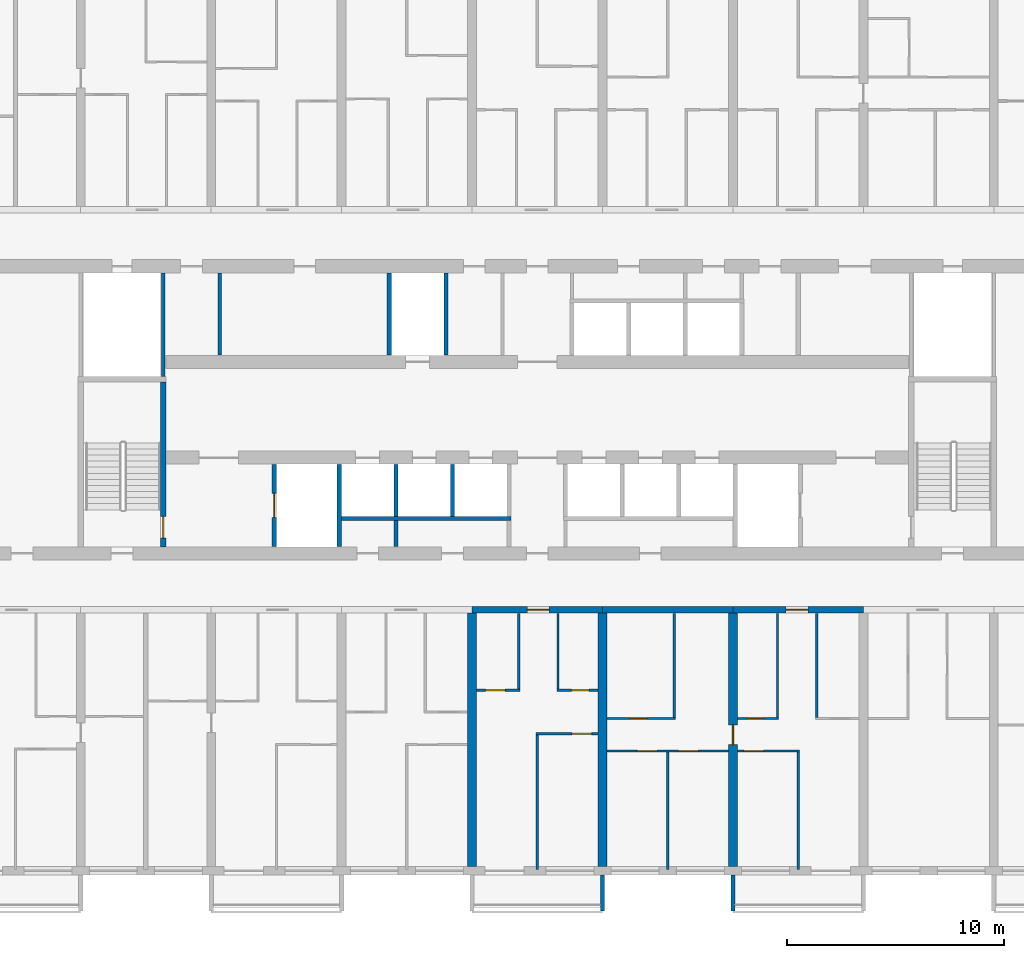
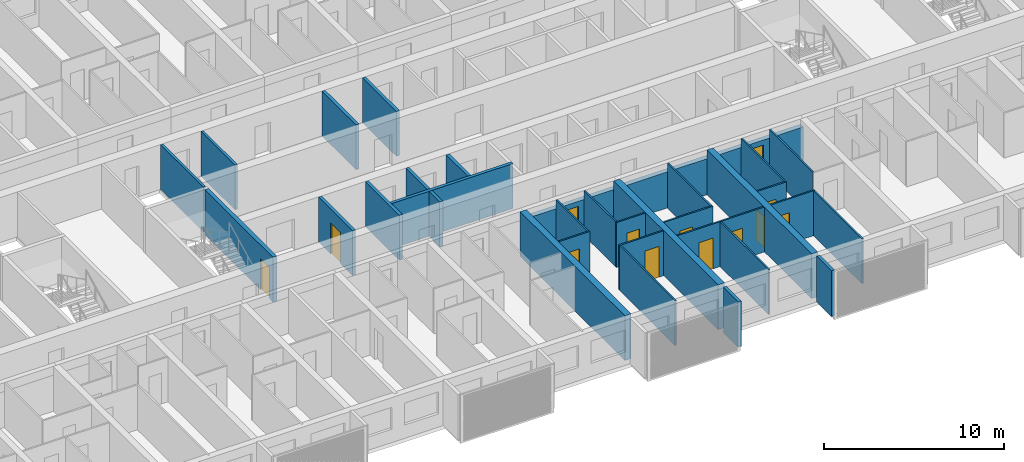
# One storey, part 7 of 44: 34 walls, 13 doors, 13 openings.
"""IFC4 building model written with IfcOpenShell, lengths in metres."""

from ifc_helpers import new_model, si_unit, direction, frame, frame_2d, origin, place, context, subcontext, project, spatial, polyline, rectangle, outline, extrude, source, transform, mapped, material, layer, layer_set, type_object, element, fill, save


model = new_model("IFC4")

# Units and contexts
model_context = context("Model", 3, precision=1e-05, world=origin(), true_north=direction((0.0, 1.0)))
body_context = subcontext(model_context, "Body", "Model", "MODEL_VIEW")
ifc_project = project(units=[si_unit("LENGTHUNIT", "METRE"), si_unit("AREAUNIT", "SQUARE_METRE"), si_unit("VOLUMEUNIT", "CUBIC_METRE"), si_unit("PLANEANGLEUNIT", "RADIAN"), si_unit("MASSUNIT", "GRAM", prefix="KILO")], contexts=[model_context])

# Site, building, storey
site_placement = place(None, origin())
site = spatial("IfcSite", under=ifc_project, at=site_placement, CompositionType="ELEMENT")
building_placement = place(site_placement, origin())
building = spatial("IfcBuilding", under=site, at=building_placement, Name="Poui Terraces", CompositionType="ELEMENT")
storey_placement = place(building_placement, frame((0.0, 0.0, 26.699951171875)))
storey = spatial("IfcBuildingStorey", under=building, at=storey_placement, Name="L06", CompositionType="ELEMENT", Elevation=26.699951171875)

# Wall, opening, door
ifc_material_1 = material(Name="Concrete 80 MPa", Category="concrete")
ifc_layer_1 = layer(ifc_material_1, 0.300048828125)
ifc_layer_set_1 = layer_set([ifc_layer_1], Name="Concrete 80 MPa")
wall_type_1 = type_object("IfcWallType", Name="CORRIDOR WALL 300 80MPa", PredefinedType="SHEAR", material=ifc_layer_set_1)
wall_1_placement = place(storey_placement, frame((48.0, 12.0, 0.0), z_axis=(0.0, 0.0, 1.0), x_axis=(1.0, 0.0, 0.0)))
wall_1 = element("IfcWall", 1, at=wall_1_placement, inside=storey, type_object=wall_type_1, Name="CORRIDOR WALL LINE B BAY 9", PredefinedType="SHEAR", context=body_context, shape_type="SweptSolid", body=[
    extrude(rectangle(XDim=6.0, YDim=0.300048828125, at=frame_2d((3.0, 0.0))), origin(), (0.0, 0.0, 1.0), 2.449951171875),
])
opening_1_placement = place(wall_1_placement, frame((2.550048828125, 0.0, 0.0)))
opening_1 = element("IfcOpeningElement", 2, at=opening_1_placement, cuts=wall_1, Name="Opening FD30S", PredefinedType="OPENING", context=body_context, shape_type="SweptSolid", body=[
    extrude(rectangle(XDim=1.0, YDim=2.10009765625, at=frame_2d((0.5, 1.050048828125))), frame((0.0, 0.16015625, 0.0), z_axis=(0.0, -1.0, 0.0), x_axis=(1.0, 0.0, 0.0)), (0.0, 0.0, 1.0), 0.320068359375),
])
ifc_material_2 = material(Name="Steel fire door", Category="steel")
door_type_1 = type_object("IfcDoorType", Name="FLAT ENTRANCE DOOR 1000 X 2100", OperationType="NOTDEFINED", PredefinedType="DOOR", material=ifc_material_2)
door_1_placement = place(opening_1_placement, frame((1.0, 0.0, 0.0), z_axis=(0.0, 0.0, 1.0), x_axis=(-1.0, 0.0, 0.0)))
door_1 = element("IfcDoor", 3, at=door_1_placement, inside=storey, type_object=door_type_1, Name="FLAT ENTRANCE DOOR 121", OperationType="SINGLE_SWING_LEFT", OverallHeight=2.10009765625, OverallWidth=1.0, PredefinedType="DOOR", context=body_context, shape_type="SweptSolid", body=[
    extrude(rectangle(XDim=1.0, YDim=2.10009765625, at=frame_2d((0.5, 1.050048828125))), frame((0.0, 0.02490234375, 0.0), z_axis=(0.0, -1.0, 0.0), x_axis=(1.0, 0.0, 0.0)), (0.0, 0.0, 1.0), 0.050048828125),
])
fill(opening_1, door_1)

# Wall
wall_2_placement = place(storey_placement, frame((54.0, 12.0, 0.0), z_axis=(0.0, 0.0, 1.0), x_axis=(1.0, 0.0, 0.0)))
element("IfcWall", 4, at=wall_2_placement, inside=storey, type_object=wall_type_1, Name="CORRIDOR WALL LINE B BAY 10", PredefinedType="SHEAR", context=body_context, shape_type="SweptSolid", body=[
    extrude(rectangle(XDim=6.0, YDim=0.300048828125, at=frame_2d((3.0, 0.0))), origin(), (0.0, 0.0, 1.0), 2.449951171875),
])

# Wall, opening, door
wall_3_placement = place(storey_placement, frame((60.0, 12.0, 0.0), z_axis=(0.0, 0.0, 1.0), x_axis=(1.0, 0.0, 0.0)))
wall_3 = element("IfcWall", 5, at=wall_3_placement, inside=storey, type_object=wall_type_1, Name="CORRIDOR WALL LINE B BAY 11", PredefinedType="SHEAR", context=body_context, shape_type="SweptSolid", body=[
    extrude(rectangle(XDim=6.0, YDim=0.300048828125, at=frame_2d((3.0, 0.0))), origin(), (0.0, 0.0, 1.0), 2.449951171875),
])
opening_2_placement = place(wall_3_placement, frame((2.449951171875, 0.0, 0.0)))
opening_2 = element("IfcOpeningElement", 6, at=opening_2_placement, cuts=wall_3, Name="Opening FD30S", PredefinedType="OPENING", context=body_context, shape_type="SweptSolid", body=[
    extrude(rectangle(XDim=1.0, YDim=2.10009765625, at=frame_2d((0.5, 1.050048828125))), frame((0.0, 0.16015625, 0.0), z_axis=(0.0, -1.0, 0.0), x_axis=(1.0, 0.0, 0.0)), (0.0, 0.0, 1.0), 0.320068359375),
])
door_2_placement = place(opening_2_placement, frame((1.0, 0.0, 0.0), z_axis=(0.0, 0.0, 1.0), x_axis=(-1.0, 0.0, 0.0)))
door_2 = element("IfcDoor", 7, at=door_2_placement, inside=storey, type_object=door_type_1, Name="FLAT ENTRANCE DOOR 130", OperationType="SINGLE_SWING_RIGHT", OverallHeight=2.10009765625, OverallWidth=1.0, PredefinedType="DOOR", context=body_context, shape_type="SweptSolid", body=[
    extrude(rectangle(XDim=1.0, YDim=2.10009765625, at=frame_2d((0.5, 1.050048828125))), frame((0.0, 0.02490234375, 0.0), z_axis=(0.0, -1.0, 0.0), x_axis=(1.0, 0.0, 0.0)), (0.0, 0.0, 1.0), 0.050048828125),
])
fill(opening_2, door_2)

# Walls
ifc_layer_2 = layer(ifc_material_1, 0.39990234375)
ifc_layer_set_2 = layer_set([ifc_layer_2], Name="Concrete 80 MPa")
wall_type_2 = type_object("IfcWallType", Name="CROSS WALL 400 80MPa", PredefinedType="SHEAR", material=ifc_layer_set_2)
for number, where, z_axis, x_axis, name in (
    (8, (48.0, 0.199951171875, 0.0), (0.0, 0.0, 1.0), (0.0, 1.0, 0.0), "CROSS WALL LINE 9 SOUTH"),
    (9, (54.0, 0.199951171875, 0.0), (0.0, 0.0, 1.0), (0.0, 1.0, 0.0), "CROSS WALL LINE 10 SOUTH"),
):
    element("IfcWall", number, at=place(storey_placement, frame(where, z_axis=z_axis, x_axis=x_axis)), inside=storey, type_object=wall_type_2, Name=name, PredefinedType="SHEAR", context=body_context, shape_type="SweptSolid", body=[
        extrude(rectangle(XDim=11.650146484375, YDim=0.39990234375, at=frame_2d((5.8251953125, 0.0))), origin(), (0.0, 0.0, 1.0), 3.050048828125),
    ])

# Wall, opening, door
wall_4_placement = place(storey_placement, frame((60.0, 0.199951171875, 0.0), z_axis=(0.0, 0.0, 1.0), x_axis=(0.0, 1.0, 0.0)))
wall_4 = element("IfcWall", 10, at=wall_4_placement, inside=storey, type_object=wall_type_2, Name="CROSS WALL LINE 11 SOUTH", PredefinedType="SHEAR", context=body_context, shape_type="SweptSolid", body=[
    extrude(rectangle(XDim=11.650146484375, YDim=0.39990234375, at=frame_2d((5.8251953125, 0.0))), origin(), (0.0, 0.0, 1.0), 3.050048828125),
])
opening_3_placement = place(wall_4_placement, frame((5.60009765625, 0.0, 0.0)))
opening_3 = element("IfcOpeningElement", 11, at=opening_3_placement, cuts=wall_4, Name="Opening D90", PredefinedType="OPENING", context=body_context, shape_type="SweptSolid", body=[
    extrude(rectangle(XDim=0.89990234375, YDim=2.10009765625, at=frame_2d((0.449951171875, 1.050048828125))), frame((0.0, 0.2099609375, 0.0), z_axis=(0.0, -1.0, 0.0), x_axis=(1.0, 0.0, 0.0)), (0.0, 0.0, 1.0), 0.419921875),
])
ifc_material_3 = material(Name="Solid core timber door", Category="wood")
door_type_2 = type_object("IfcDoorType", Name="INTERNAL DOOR 900 X 2100", OperationType="NOTDEFINED", PredefinedType="DOOR", material=ifc_material_3)
door_3_placement = place(opening_3_placement, frame((0.89990234375, 0.0, 0.0), z_axis=(0.0, 0.0, 1.0), x_axis=(-1.0, 0.0, 0.0)))
door_3 = element("IfcDoor", 12, at=door_3_placement, inside=storey, type_object=door_type_2, Name="INTERNAL DOOR 127", OperationType="SINGLE_SWING_LEFT", OverallHeight=2.10009765625, OverallWidth=0.89990234375, PredefinedType="DOOR", context=body_context, shape_type="SweptSolid", body=[
    extrude(rectangle(XDim=0.89990234375, YDim=2.10009765625, at=frame_2d((0.449951171875, 1.050048828125))), frame((0.0, 0.02490234375, 0.0), z_axis=(0.0, -1.0, 0.0), x_axis=(1.0, 0.0, 0.0)), (0.0, 0.0, 1.0), 0.050048828125),
])
fill(opening_3, door_3)

# Wall, openings, doors
ifc_material_4 = material(Name="Plasterboard partition")
ifc_layer_3 = layer(ifc_material_4, 0.10009765625)
ifc_layer_set_3 = layer_set([ifc_layer_3], Name="Plasterboard partition")
wall_type_3 = type_object("IfcWallType", Name="FLAT PARTITION 100", PredefinedType="PARTITIONING", material=ifc_layer_set_3)
wall_5_placement = place(storey_placement, frame((54.2099609375, 5.5, 0.0), z_axis=(0.0, 0.0, 1.0), x_axis=(1.0, 0.0, 0.0)))
wall_5 = element("IfcWall", 13, at=wall_5_placement, inside=storey, type_object=wall_type_3, Name="FLAT PARTITION 100", PredefinedType="PARTITIONING", context=body_context, shape_type="SweptSolid", body=[
    extrude(rectangle(XDim=5.580078125, YDim=0.10009765625, at=frame_2d((2.7900390625, 0.0))), origin(), (0.0, 0.0, 1.0), 3.050048828125),
])
opening_4_placement = place(wall_5_placement, frame((1.389892578125, 0.0, 0.0)))
opening_4 = element("IfcOpeningElement", 14, at=opening_4_placement, cuts=wall_5, Name="Opening D90", PredefinedType="OPENING", context=body_context, shape_type="SweptSolid", body=[
    extrude(rectangle(XDim=0.89990234375, YDim=2.10009765625, at=frame_2d((0.449951171875, 1.050048828125))), frame((0.0, 0.06005859375, 0.0), z_axis=(0.0, -1.0, 0.0), x_axis=(1.0, 0.0, 0.0)), (0.0, 0.0, 1.0), 0.1201171875),
])
opening_5_placement = place(wall_5_placement, frame((3.2900390625, 0.0, 0.0)))
opening_5 = element("IfcOpeningElement", 15, at=opening_5_placement, cuts=wall_5, Name="Opening D90", PredefinedType="OPENING", context=body_context, shape_type="SweptSolid", body=[
    extrude(rectangle(XDim=0.89990234375, YDim=2.10009765625, at=frame_2d((0.449951171875, 1.050048828125))), frame((0.0, 0.06005859375, 0.0), z_axis=(0.0, -1.0, 0.0), x_axis=(1.0, 0.0, 0.0)), (0.0, 0.0, 1.0), 0.1201171875),
])
door_4_placement = place(opening_4_placement, frame((0.89990234375, 0.0, 0.0), z_axis=(0.0, 0.0, 1.0), x_axis=(-1.0, 0.0, 0.0)))
door_4 = element("IfcDoor", 16, at=door_4_placement, inside=storey, type_object=door_type_2, Name="INTERNAL DOOR 125", OperationType="SINGLE_SWING_LEFT", OverallHeight=2.10009765625, OverallWidth=0.89990234375, PredefinedType="DOOR", context=body_context, shape_type="SweptSolid", body=[
    extrude(rectangle(XDim=0.89990234375, YDim=2.10009765625, at=frame_2d((0.449951171875, 1.050048828125))), frame((0.0, 0.02490234375, 0.0), z_axis=(0.0, -1.0, 0.0), x_axis=(1.0, 0.0, 0.0)), (0.0, 0.0, 1.0), 0.050048828125),
])
fill(opening_4, door_4)
door_5_placement = place(opening_5_placement, frame((0.89990234375, 0.0, 0.0), z_axis=(0.0, 0.0, 1.0), x_axis=(-1.0, 0.0, 0.0)))
door_5 = element("IfcDoor", 17, at=door_5_placement, inside=storey, type_object=door_type_2, Name="INTERNAL DOOR 126", OperationType="SINGLE_SWING_RIGHT", OverallHeight=2.10009765625, OverallWidth=0.89990234375, PredefinedType="DOOR", context=body_context, shape_type="SweptSolid", body=[
    extrude(rectangle(XDim=0.89990234375, YDim=2.10009765625, at=frame_2d((0.449951171875, 1.050048828125))), frame((0.0, 0.02490234375, 0.0), z_axis=(0.0, -1.0, 0.0), x_axis=(1.0, 0.0, 0.0)), (0.0, 0.0, 1.0), 0.050048828125),
])
fill(opening_5, door_5)

# Wall, opening, door
wall_6_placement = place(storey_placement, frame((60.2099609375, 5.5, 0.0), z_axis=(0.0, 0.0, 1.0), x_axis=(1.0, 0.0, 0.0)))
wall_6 = element("IfcWall", 18, at=wall_6_placement, inside=storey, type_object=wall_type_3, Name="FLAT PARTITION 100", PredefinedType="PARTITIONING", context=body_context, shape_type="SweptSolid", body=[
    extrude(rectangle(XDim=2.840087890625, YDim=0.10009765625, at=frame_2d((1.419921875, 0.0))), origin(), (0.0, 0.0, 1.0), 3.050048828125),
])
opening_6_placement = place(wall_6_placement, frame((0.2900390625, 0.0, 0.0)))
opening_6 = element("IfcOpeningElement", 19, at=opening_6_placement, cuts=wall_6, Name="Opening D90", PredefinedType="OPENING", context=body_context, shape_type="SweptSolid", body=[
    extrude(rectangle(XDim=0.89990234375, YDim=2.10009765625, at=frame_2d((0.449951171875, 1.050048828125))), frame((0.0, 0.06005859375, 0.0), z_axis=(0.0, -1.0, 0.0), x_axis=(1.0, 0.0, 0.0)), (0.0, 0.0, 1.0), 0.1201171875),
])
door_6_placement = place(opening_6_placement, origin())
door_6 = element("IfcDoor", 20, at=door_6_placement, inside=storey, type_object=door_type_2, Name="INTERNAL DOOR 128", OperationType="SINGLE_SWING_RIGHT", OverallHeight=2.10009765625, OverallWidth=0.89990234375, PredefinedType="DOOR", context=body_context, shape_type="SweptSolid", body=[
    extrude(rectangle(XDim=0.89990234375, YDim=2.10009765625, at=frame_2d((0.449951171875, 1.050048828125))), frame((0.0, 0.02490234375, 0.0), z_axis=(0.0, -1.0, 0.0), x_axis=(1.0, 0.0, 0.0)), (0.0, 0.0, 1.0), 0.050048828125),
])
fill(opening_6, door_6)

wall_7_placement = place(storey_placement, frame((50.949951171875, 6.300048828125, 0.0), z_axis=(0.0, 0.0, 1.0), x_axis=(1.0, 0.0, 0.0)))
wall_7 = element("IfcWall", 21, at=wall_7_placement, inside=storey, type_object=wall_type_3, Name="FLAT PARTITION 100", PredefinedType="PARTITIONING", context=body_context, shape_type="SweptSolid", body=[
    extrude(rectangle(XDim=2.840087890625, YDim=0.10009765625, at=frame_2d((1.419921875, 0.0))), origin(), (0.0, 0.0, 1.0), 3.050048828125),
])
opening_7_placement = place(wall_7_placement, frame((1.64990234375, 0.0, 0.0)))
opening_7 = element("IfcOpeningElement", 22, at=opening_7_placement, cuts=wall_7, Name="Opening D90", PredefinedType="OPENING", context=body_context, shape_type="SweptSolid", body=[
    extrude(rectangle(XDim=0.89990234375, YDim=2.10009765625, at=frame_2d((0.449951171875, 1.050048828125))), frame((0.0, 0.06005859375, 0.0), z_axis=(0.0, -1.0, 0.0), x_axis=(1.0, 0.0, 0.0)), (0.0, 0.0, 1.0), 0.1201171875),
])
door_7_placement = place(opening_7_placement, origin())
door_7 = element("IfcDoor", 23, at=door_7_placement, inside=storey, type_object=door_type_2, Name="INTERNAL DOOR 123", OperationType="SINGLE_SWING_LEFT", OverallHeight=2.10009765625, OverallWidth=0.89990234375, PredefinedType="DOOR", context=body_context, shape_type="SweptSolid", body=[
    extrude(rectangle(XDim=0.89990234375, YDim=2.10009765625, at=frame_2d((0.449951171875, 1.050048828125))), frame((0.0, 0.02490234375, 0.0), z_axis=(0.0, -1.0, 0.0), x_axis=(1.0, 0.0, 0.0)), (0.0, 0.0, 1.0), 0.050048828125),
])
fill(opening_7, door_7)

wall_8_placement = place(storey_placement, frame((54.2099609375, 7.0, 0.0), z_axis=(0.0, 0.0, 1.0), x_axis=(1.0, 0.0, 0.0)))
wall_8 = element("IfcWall", 24, at=wall_8_placement, inside=storey, type_object=wall_type_3, Name="FLAT PARTITION 100", PredefinedType="PARTITIONING", context=body_context, shape_type="SweptSolid", body=[
    extrude(rectangle(XDim=3.14013671875, YDim=0.10009765625, at=frame_2d((1.570068359375, 0.0))), origin(), (0.0, 0.0, 1.0), 3.050048828125),
])
opening_8_placement = place(wall_8_placement, frame((1.0400390625, 0.0, 0.0)))
opening_8 = element("IfcOpeningElement", 25, at=opening_8_placement, cuts=wall_8, Name="Opening D80", PredefinedType="OPENING", context=body_context, shape_type="SweptSolid", body=[
    extrude(rectangle(XDim=0.800048828125, YDim=2.10009765625, at=frame_2d((0.39990234375, 1.050048828125))), frame((0.0, 0.06005859375, 0.0), z_axis=(0.0, -1.0, 0.0), x_axis=(1.0, 0.0, 0.0)), (0.0, 0.0, 1.0), 0.1201171875),
])
door_type_3 = type_object("IfcDoorType", Name="BATHROOM, LAUNDRY AND STORE DOOR 800 X 2100", OperationType="NOTDEFINED", PredefinedType="DOOR", material=ifc_material_3)
door_8_placement = place(opening_8_placement, frame((0.800048828125, 0.0, 0.0), z_axis=(0.0, 0.0, 1.0), x_axis=(-1.0, 0.0, 0.0)))
door_8 = element("IfcDoor", 26, at=door_8_placement, inside=storey, type_object=door_type_3, Name="BATHROOM, LAUNDRY AND STORE DOOR 124", OperationType="SINGLE_SWING_RIGHT", OverallHeight=2.10009765625, OverallWidth=0.800048828125, PredefinedType="DOOR", context=body_context, shape_type="SweptSolid", body=[
    extrude(rectangle(XDim=0.800048828125, YDim=2.10009765625, at=frame_2d((0.39990234375, 1.050048828125))), frame((0.0, 0.02490234375, 0.0), z_axis=(0.0, -1.0, 0.0), x_axis=(1.0, 0.0, 0.0)), (0.0, 0.0, 1.0), 0.050048828125),
])
fill(opening_8, door_8)

wall_9_placement = place(storey_placement, frame((60.2099609375, 7.0, 0.0), z_axis=(0.0, 0.0, 1.0), x_axis=(1.0, 0.0, 0.0)))
wall_9 = element("IfcWall", 27, at=wall_9_placement, inside=storey, type_object=wall_type_3, Name="FLAT PARTITION 100", PredefinedType="PARTITIONING", context=body_context, shape_type="SweptSolid", body=[
    extrude(rectangle(XDim=1.89013671875, YDim=0.10009765625, at=frame_2d((0.945068359375, 0.0))), origin(), (0.0, 0.0, 1.0), 3.050048828125),
])
opening_9_placement = place(wall_9_placement, frame((0.4150390625, 0.0, 0.0)))
opening_9 = element("IfcOpeningElement", 28, at=opening_9_placement, cuts=wall_9, Name="Opening D80", PredefinedType="OPENING", context=body_context, shape_type="SweptSolid", body=[
    extrude(rectangle(XDim=0.800048828125, YDim=2.10009765625, at=frame_2d((0.39990234375, 1.050048828125))), frame((0.0, 0.06005859375, 0.0), z_axis=(0.0, -1.0, 0.0), x_axis=(1.0, 0.0, 0.0)), (0.0, 0.0, 1.0), 0.1201171875),
])
door_9_placement = place(opening_9_placement, origin())
door_9 = element("IfcDoor", 29, at=door_9_placement, inside=storey, type_object=door_type_3, Name="BATHROOM, LAUNDRY AND STORE DOOR 129", OperationType="SINGLE_SWING_LEFT", OverallHeight=2.10009765625, OverallWidth=0.800048828125, PredefinedType="DOOR", context=body_context, shape_type="SweptSolid", body=[
    extrude(rectangle(XDim=0.800048828125, YDim=2.10009765625, at=frame_2d((0.39990234375, 1.050048828125))), frame((0.0, 0.02490234375, 0.0), z_axis=(0.0, -1.0, 0.0), x_axis=(1.0, 0.0, 0.0)), (0.0, 0.0, 1.0), 0.050048828125),
])
fill(opening_9, door_9)

wall_10_placement = place(storey_placement, frame((48.2099609375, 8.300048828125, 0.0), z_axis=(0.0, 0.0, 1.0), x_axis=(1.0, 0.0, 0.0)))
wall_10 = element("IfcWall", 30, at=wall_10_placement, inside=storey, type_object=wall_type_3, Name="FLAT PARTITION 100", PredefinedType="PARTITIONING", context=body_context, shape_type="SweptSolid", body=[
    extrude(rectangle(XDim=1.989990234375, YDim=0.10009765625, at=frame_2d((0.9951171875, 0.0))), origin(), (0.0, 0.0, 1.0), 3.050048828125),
])
opening_10_placement = place(wall_10_placement, frame((0.4150390625, 0.0, 0.0)))
opening_10 = element("IfcOpeningElement", 31, at=opening_10_placement, cuts=wall_10, Name="Opening D90", PredefinedType="OPENING", context=body_context, shape_type="SweptSolid", body=[
    extrude(rectangle(XDim=0.89990234375, YDim=2.10009765625, at=frame_2d((0.449951171875, 1.050048828125))), frame((0.0, 0.06005859375, 0.0), z_axis=(0.0, -1.0, 0.0), x_axis=(1.0, 0.0, 0.0)), (0.0, 0.0, 1.0), 0.1201171875),
])
door_10_placement = place(opening_10_placement, origin())
door_10 = element("IfcDoor", 32, at=door_10_placement, inside=storey, type_object=door_type_2, Name="INTERNAL DOOR 120", OperationType="SINGLE_SWING_LEFT", OverallHeight=2.10009765625, OverallWidth=0.89990234375, PredefinedType="DOOR", context=body_context, shape_type="SweptSolid", body=[
    extrude(rectangle(XDim=0.89990234375, YDim=2.10009765625, at=frame_2d((0.449951171875, 1.050048828125))), frame((0.0, 0.02490234375, 0.0), z_axis=(0.0, -1.0, 0.0), x_axis=(1.0, 0.0, 0.0)), (0.0, 0.0, 1.0), 0.050048828125),
])
fill(opening_10, door_10)

wall_11_placement = place(storey_placement, frame((51.89990234375, 8.300048828125, 0.0), z_axis=(0.0, 0.0, 1.0), x_axis=(1.0, 0.0, 0.0)))
wall_11 = element("IfcWall", 33, at=wall_11_placement, inside=storey, type_object=wall_type_3, Name="FLAT PARTITION 100", PredefinedType="PARTITIONING", context=body_context, shape_type="SweptSolid", body=[
    extrude(rectangle(XDim=1.89013671875, YDim=0.10009765625, at=frame_2d((0.945068359375, 0.0))), origin(), (0.0, 0.0, 1.0), 3.050048828125),
])
opening_11_placement = place(wall_11_placement, frame((0.675048828125, 0.0, 0.0)))
opening_11 = element("IfcOpeningElement", 34, at=opening_11_placement, cuts=wall_11, Name="Opening D80", PredefinedType="OPENING", context=body_context, shape_type="SweptSolid", body=[
    extrude(rectangle(XDim=0.800048828125, YDim=2.10009765625, at=frame_2d((0.39990234375, 1.050048828125))), frame((0.0, 0.06005859375, 0.0), z_axis=(0.0, -1.0, 0.0), x_axis=(1.0, 0.0, 0.0)), (0.0, 0.0, 1.0), 0.1201171875),
])
door_11_placement = place(opening_11_placement, origin())
door_11 = element("IfcDoor", 35, at=door_11_placement, inside=storey, type_object=door_type_3, Name="BATHROOM, LAUNDRY AND STORE DOOR 122", OperationType="SINGLE_SWING_RIGHT", OverallHeight=2.10009765625, OverallWidth=0.800048828125, PredefinedType="DOOR", context=body_context, shape_type="SweptSolid", body=[
    extrude(rectangle(XDim=0.800048828125, YDim=2.10009765625, at=frame_2d((0.39990234375, 1.050048828125))), frame((0.0, 0.02490234375, 0.0), z_axis=(0.0, -1.0, 0.0), x_axis=(1.0, 0.0, 0.0)), (0.0, 0.0, 1.0), 0.050048828125),
])
fill(opening_11, door_11)

# Walls
wall_12_placement = place(storey_placement, frame((50.14990234375, 8.35009765625, 0.0), z_axis=(0.0, 0.0, 1.0), x_axis=(0.0, 1.0, 0.0)))
element("IfcWall", 36, at=wall_12_placement, inside=storey, type_object=wall_type_3, Name="FLAT PARTITION 100", PredefinedType="PARTITIONING", context=body_context, shape_type="SweptSolid", body=[
    extrude(rectangle(XDim=3.489990234375, YDim=0.10009765625, at=frame_2d((1.7451171875, 0.0))), origin(), (0.0, 0.0, 1.0), 3.050048828125),
])
wall_13_placement = place(storey_placement, frame((51.0, 0.06005859375, 0.0), z_axis=(0.0, 0.0, 1.0), x_axis=(0.0, 1.0, 0.0)))
element("IfcWall", 37, at=wall_13_placement, inside=storey, type_object=wall_type_3, Name="FLAT PARTITION 100", PredefinedType="PARTITIONING", context=body_context, shape_type="SweptSolid", body=[
    extrude(rectangle(XDim=6.18994140625, YDim=0.10009765625, at=frame_2d((3.094970703125, 0.0))), origin(), (0.0, 0.0, 1.0), 3.050048828125),
])
wall_14_placement = place(storey_placement, frame((51.949951171875, 8.35009765625, 0.0), z_axis=(0.0, 0.0, 1.0), x_axis=(0.0, 1.0, 0.0)))
element("IfcWall", 38, at=wall_14_placement, inside=storey, type_object=wall_type_3, Name="FLAT PARTITION 100", PredefinedType="PARTITIONING", context=body_context, shape_type="SweptSolid", body=[
    extrude(rectangle(XDim=3.489990234375, YDim=0.10009765625, at=frame_2d((1.7451171875, 0.0))), origin(), (0.0, 0.0, 1.0), 3.050048828125),
])
wall_15_placement = place(storey_placement, frame((57.0, 0.06005859375, 0.0), z_axis=(0.0, 0.0, 1.0), x_axis=(0.0, 1.0, 0.0)))
element("IfcWall", 39, at=wall_15_placement, inside=storey, type_object=wall_type_3, Name="FLAT PARTITION 100", PredefinedType="PARTITIONING", context=body_context, shape_type="SweptSolid", body=[
    extrude(rectangle(XDim=5.389892578125, YDim=0.10009765625, at=frame_2d((2.69482421875, 0.0))), origin(), (0.0, 0.0, 1.0), 3.050048828125),
])
for number, where, z_axis, x_axis, name in (
    (40, (57.300048828125, 7.050048828125, 0.0), (0.0, 0.0, 1.0), (0.0, 1.0, 0.0), "FLAT PARTITION 100"),
    (41, (62.050048828125, 7.050048828125, 0.0), (0.0, 0.0, 1.0), (0.0, 1.0, 0.0), "FLAT PARTITION 100"),
):
    element("IfcWall", number, at=place(storey_placement, frame(where, z_axis=z_axis, x_axis=x_axis)), inside=storey, type_object=wall_type_3, Name=name, PredefinedType="PARTITIONING", context=body_context, shape_type="SweptSolid", body=[
        extrude(rectangle(XDim=4.7900390625, YDim=0.10009765625, at=frame_2d((2.39501953125, 0.0))), origin(), (0.0, 0.0, 1.0), 3.050048828125),
    ])
wall_16_placement = place(storey_placement, frame((63.0, 0.06005859375, 0.0), z_axis=(0.0, 0.0, 1.0), x_axis=(0.0, 1.0, 0.0)))
element("IfcWall", 42, at=wall_16_placement, inside=storey, type_object=wall_type_3, Name="FLAT PARTITION 100", PredefinedType="PARTITIONING", context=body_context, shape_type="SweptSolid", body=[
    extrude(rectangle(XDim=5.389892578125, YDim=0.10009765625, at=frame_2d((2.69482421875, 0.0))), origin(), (0.0, 0.0, 1.0), 3.050048828125),
])
wall_17_placement = place(storey_placement, frame((63.85009765625, 7.050048828125, 0.0), z_axis=(0.0, 0.0, 1.0), x_axis=(0.0, 1.0, 0.0)))
element("IfcWall", 43, at=wall_17_placement, inside=storey, type_object=wall_type_3, Name="FLAT PARTITION 100", PredefinedType="PARTITIONING", context=body_context, shape_type="SweptSolid", body=[
    extrude(rectangle(XDim=4.7900390625, YDim=0.10009765625, at=frame_2d((2.39501953125, 0.0))), origin(), (0.0, 0.0, 1.0), 3.050048828125),
])
ifc_layer_4 = layer(ifc_material_4, 0.14990234375)
ifc_layer_set_4 = layer_set([ifc_layer_4], Name="Plasterboard partition")
wall_type_4 = type_object("IfcWallType", Name="PARTITION WALL 150", PredefinedType="PARTITIONING", material=ifc_layer_set_4)
wall_18_placement = place(storey_placement, frame((36.39990234375, 23.7099609375, 0.0), z_axis=(0.0, 0.0, 1.0), x_axis=(0.0, 1.0, 0.0)))
element("IfcWall", 44, at=wall_18_placement, inside=storey, type_object=wall_type_4, Name="PARTITION WALL 150", PredefinedType="PARTITIONING", context=body_context, shape_type="SweptSolid", body=[
    extrude(rectangle(XDim=3.780029296875, YDim=0.14990234375, at=frame_2d((1.89013671875, 0.0))), origin(), (0.0, 0.0, 1.0), 3.050048828125),
])
ifc_material_5 = material(Name="Fire-rated masonry wall", Category="masonry")
ifc_layer_5 = layer(ifc_material_5, 0.199951171875)
ifc_layer_set_5 = layer_set([ifc_layer_5], Name="Fire-rated masonry wall")
wall_type_5 = type_object("IfcWallType", Name="PLANT ROOM WALL 200", PredefinedType="PARTITIONING", material=ifc_layer_set_5)
wall_19_placement = place(storey_placement, frame((44.5, 14.909912109375, 0.0), z_axis=(0.0, 0.0, 1.0), x_axis=(0.0, 1.0, 0.0)))
element("IfcWall", 45, at=wall_19_placement, inside=storey, type_object=wall_type_5, Name="PLANT ROOM WALL 200", PredefinedType="PARTITIONING", context=body_context, shape_type="SweptSolid", body=[
    extrude(rectangle(XDim=1.190185546875, YDim=0.199951171875, at=frame_2d((0.59521484375, 0.0))), origin(), (0.0, 0.0, 1.0), 3.050048828125),
])
ifc_material_6 = material(Name="Fire-rated plasterboard riser wall")
ifc_layer_6 = layer(ifc_material_6, 0.14990234375)
ifc_layer_set_6 = layer_set([ifc_layer_6], Name="Fire-rated plasterboard riser wall")
wall_type_6 = type_object("IfcWallType", Name="RISER WALL 150", PredefinedType="PARTITIONING", material=ifc_layer_set_6)
wall_20_placement = place(storey_placement, frame((33.800048828125, 22.735107421875, 0.0), z_axis=(0.0, 0.0, 1.0), x_axis=(0.0, 1.0, 0.0)))
element("IfcWall", 46, at=wall_20_placement, inside=storey, type_object=wall_type_6, Name="RISER WALL 150", PredefinedType="PARTITIONING", context=body_context, shape_type="SweptSolid", body=[
    extrude(rectangle(XDim=4.7548828125, YDim=0.14990234375, at=frame_2d((2.37744140625, 0.0))), origin(), (0.0, 0.0, 1.0), 3.050048828125),
])
ifc_material_7 = material(Name="Fire-rated masonry shaft wall", Category="masonry")
ifc_layer_7 = layer(ifc_material_7, 0.199951171875)
ifc_layer_set_7 = layer_set([ifc_layer_7], Name="Fire-rated masonry shaft wall")
wall_type_7 = type_object("IfcWallType", Name="SHAFT WALL 200", PredefinedType="PARTITIONING", material=ifc_layer_set_7)
wall_21_placement = place(storey_placement, frame((42.0, 16.199951171875, 0.0), z_axis=(0.0, 0.0, 1.0), x_axis=(1.0, 0.0, 0.0)))
element("IfcWall", 47, at=wall_21_placement, inside=storey, type_object=wall_type_7, Name="SHAFT WALL 200", PredefinedType="PARTITIONING", context=body_context, shape_type="SweptSolid", body=[
    extrude(rectangle(XDim=7.800048828125, YDim=0.199951171875, at=frame_2d((3.89990234375, 0.0))), origin(), (0.0, 0.0, 1.0), 3.050048828125),
])

# Wall, opening, door
wall_22_placement = place(storey_placement, frame((38.89990234375, 14.909912109375, 0.0), z_axis=(0.0, 0.0, 1.0), x_axis=(0.0, 1.0, 0.0)))
wall_22 = element("IfcWall", 48, at=wall_22_placement, inside=storey, type_object=wall_type_7, Name="SHAFT WALL 200", PredefinedType="PARTITIONING", context=body_context, shape_type="SweptSolid", body=[
    extrude(rectangle(XDim=3.780029296875, YDim=0.199951171875, at=frame_2d((1.89013671875, 0.0))), origin(), (0.0, 0.0, 1.0), 3.050048828125),
])
opening_12_placement = place(wall_22_placement, frame((1.340087890625, 0.0, 0.0)))
opening_12 = element("IfcOpeningElement", 49, at=opening_12_placement, cuts=wall_22, Name="Opening LD", PredefinedType="OPENING", context=body_context, shape_type="SweptSolid", body=[
    extrude(rectangle(XDim=1.10009765625, YDim=2.10009765625, at=frame_2d((0.550048828125, 1.050048828125))), frame((0.0, 0.10986328125, 0.0), z_axis=(0.0, -1.0, 0.0), x_axis=(1.0, 0.0, 0.0)), (0.0, 0.0, 1.0), 0.219970703125),
])
ifc_material_8 = material(Name="Stainless steel sliding door", Category="steel")
door_type_4 = type_object("IfcDoorType", Name="LIFT LANDING DOOR 1100 X 2100", OperationType="DOUBLE_DOOR_SLIDING", PredefinedType="DOOR", material=ifc_material_8)
door_12_placement = place(opening_12_placement, origin())
door_12 = element("IfcDoor", 50, at=door_12_placement, inside=storey, type_object=door_type_4, Name="LANDING DOOR", OperationType="DOUBLE_DOOR_SLIDING", OverallHeight=2.10009765625, OverallWidth=1.10009765625, PredefinedType="DOOR", context=body_context, shape_type="SweptSolid", body=[
    extrude(rectangle(XDim=1.10009765625, YDim=2.10009765625, at=frame_2d((0.550048828125, 1.050048828125))), frame((0.0, 0.02490234375, 0.0), z_axis=(0.0, -1.0, 0.0), x_axis=(1.0, 0.0, 0.0)), (0.0, 0.0, 1.0), 0.050048828125),
])
fill(opening_12, door_12)

# Walls
for number, where, z_axis, x_axis, name in (
    (51, (41.89990234375, 14.909912109375, 0.0), (0.0, 0.0, 1.0), (0.0, 1.0, 0.0), "SHAFT WALL 200"),
    (52, (44.199951171875, 23.7099609375, 0.0), (0.0, 0.0, 1.0), (0.0, 1.0, 0.0), "SHAFT WALL 200"),
):
    element("IfcWall", number, at=place(storey_placement, frame(where, z_axis=z_axis, x_axis=x_axis)), inside=storey, type_object=wall_type_7, Name=name, PredefinedType="PARTITIONING", context=body_context, shape_type="SweptSolid", body=[
        extrude(rectangle(XDim=3.780029296875, YDim=0.199951171875, at=frame_2d((1.89013671875, 0.0))), origin(), (0.0, 0.0, 1.0), 3.050048828125),
    ])
wall_23_placement = place(storey_placement, frame((44.5, 16.300048828125, 0.0), z_axis=(0.0, 0.0, 1.0), x_axis=(0.0, 1.0, 0.0)))
element("IfcWall", 53, at=wall_23_placement, inside=storey, type_object=wall_type_7, Name="SHAFT WALL 200", PredefinedType="PARTITIONING", context=body_context, shape_type="SweptSolid", body=[
    extrude(rectangle(XDim=2.389892578125, YDim=0.199951171875, at=frame_2d((1.19482421875, 0.0))), origin(), (0.0, 0.0, 1.0), 3.050048828125),
])
wall_24_placement = place(storey_placement, frame((46.800048828125, 23.7099609375, 0.0), z_axis=(0.0, 0.0, 1.0), x_axis=(0.0, 1.0, 0.0)))
element("IfcWall", 54, at=wall_24_placement, inside=storey, type_object=wall_type_7, Name="SHAFT WALL 200", PredefinedType="PARTITIONING", context=body_context, shape_type="SweptSolid", body=[
    extrude(rectangle(XDim=3.780029296875, YDim=0.199951171875, at=frame_2d((1.89013671875, 0.0))), origin(), (0.0, 0.0, 1.0), 3.050048828125),
])
wall_25_placement = place(storey_placement, frame((47.10009765625, 16.300048828125, 0.0), z_axis=(0.0, 0.0, 1.0), x_axis=(0.0, 1.0, 0.0)))
element("IfcWall", 55, at=wall_25_placement, inside=storey, type_object=wall_type_7, Name="SHAFT WALL 200", PredefinedType="PARTITIONING", context=body_context, shape_type="SweptSolid", body=[
    extrude(rectangle(XDim=2.389892578125, YDim=0.199951171875, at=frame_2d((1.19482421875, 0.0))), origin(), (0.0, 0.0, 1.0), 3.050048828125),
])

# Wall, opening, door
ifc_layer_8 = layer(ifc_material_1, 0.25)
ifc_layer_set_8 = layer_set([ifc_layer_8], Name="Concrete 80 MPa")
wall_type_8 = type_object("IfcWallType", Name="STAIR CORE WALL 250 80 MPA", PredefinedType="SOLIDWALL", material=ifc_layer_set_8)
wall_26_placement = place(storey_placement, frame((33.800048828125, 14.89990234375, 0.0), z_axis=(0.0, 0.0, 1.0), x_axis=(0.0, 1.0, 0.0)))
wall_26 = element("IfcWall", 56, at=wall_26_placement, inside=storey, type_object=wall_type_8, Name="STAIR CORE WALL", PredefinedType="SOLIDWALL", context=body_context, shape_type="SweptSolid", body=[
    extrude(rectangle(XDim=7.5751953125, YDim=0.25, at=frame_2d((3.78759765625, 0.0))), origin(), (0.0, 0.0, 1.0), 3.050048828125),
])
opening_13_placement = place(wall_26_placement, frame((0.39990234375, 0.0, 0.0)))
opening_13 = element("IfcOpeningElement", 57, at=opening_13_placement, cuts=wall_26, Name="Opening FD60S", PredefinedType="OPENING", context=body_context, shape_type="SweptSolid", body=[
    extrude(rectangle(XDim=1.0, YDim=2.10009765625, at=frame_2d((0.5, 1.050048828125))), frame((0.0, 0.135009765625, 0.0), z_axis=(0.0, -1.0, 0.0), x_axis=(1.0, 0.0, 0.0)), (0.0, 0.0, 1.0), 0.27001953125),
])
door_type_5 = type_object("IfcDoorType", Name="STAIR DOOR 1000 X 2100", OperationType="NOTDEFINED", PredefinedType="DOOR", material=ifc_material_2)
door_13_placement = place(opening_13_placement, origin())
door_13 = element("IfcDoor", 58, at=door_13_placement, inside=storey, type_object=door_type_5, Name="STAIR DOOR 153", OperationType="SINGLE_SWING_LEFT", OverallHeight=2.10009765625, OverallWidth=1.0, PredefinedType="DOOR", context=body_context, shape_type="SweptSolid", body=[
    extrude(rectangle(XDim=1.0, YDim=2.10009765625, at=frame_2d((0.5, 1.050048828125))), frame((0.0, 0.02490234375, 0.0), z_axis=(0.0, -1.0, 0.0), x_axis=(1.0, 0.0, 0.0)), (0.0, 0.0, 1.0), 0.050048828125),
])
fill(opening_13, door_13)

# Walls
ifc_material_9 = material(Name="Precast concrete 40 MPa", Category="concrete")
ifc_layer_9 = layer(ifc_material_9, 0.199951171875)
ifc_layer_set_9 = layer_set([ifc_layer_9], Name="Precast concrete 40 MPa")
wall_type_9 = type_object("IfcWallType", Name="REAR FIN 200", PredefinedType="STANDARD", material=ifc_layer_set_9)
shared_shape = source(origin(), body_context, "Body", "SweptSolid", [
    extrude(outline(polyline([(0.0, 0.0), (0.2001953125, 0.0), (0.2001953125, 1.650146484375), (0.0, 1.650146484375), (0.0, 0.0)])), origin(), (0.0, 0.0, 1.0), 3.10009765625),
])
for number, where, name in (
    (59, (53.89990234375, -1.85009765625, 0.0), "REAR FIN"),
    (60, (59.89990234375, -1.85009765625, 0.0), "REAR FIN"),
):
    element("IfcWall", number, at=place(storey_placement, frame(where)), inside=storey, type_object=wall_type_9, Name=name, PredefinedType="STANDARD", context=body_context, shape_type="MappedRepresentation", body=[
        mapped(shared_shape, transform((0.0, 0.0, 0.0))),
    ])

save(model, "model.ifc")
